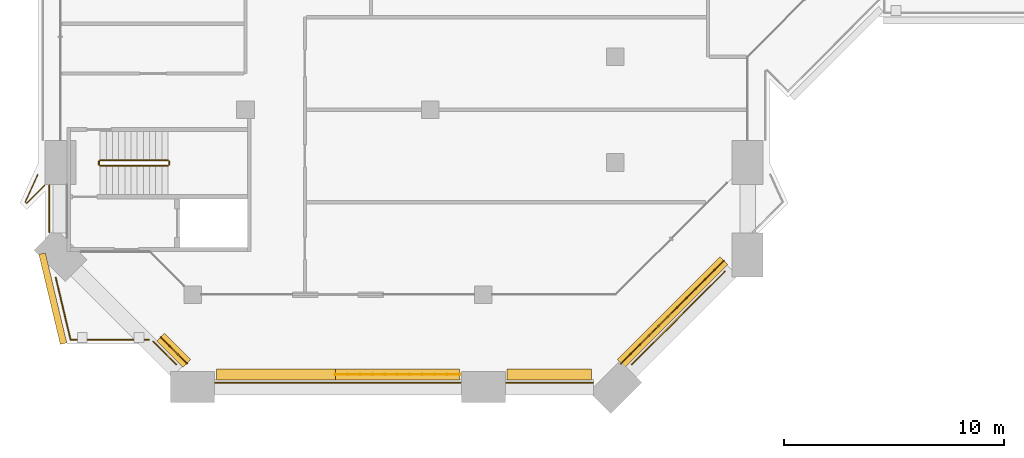
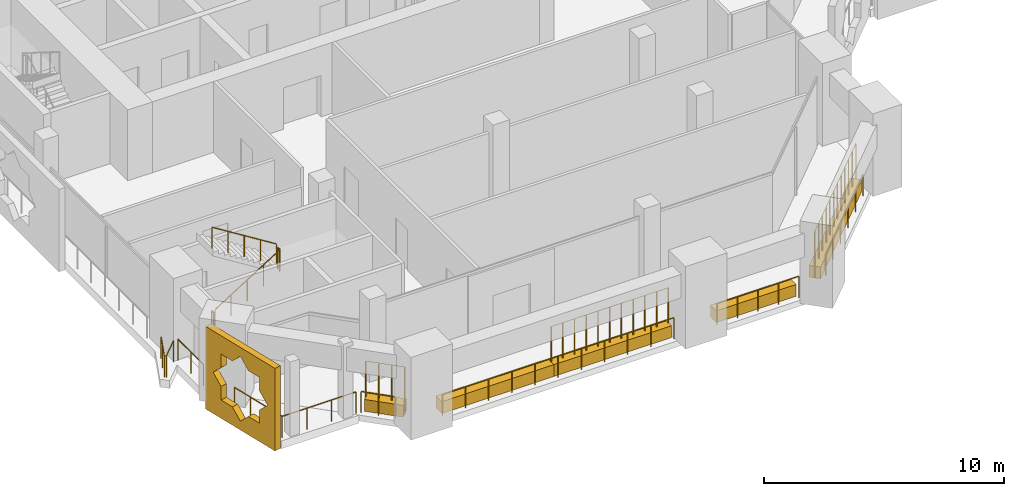
# One storey, part 15 of 20: 14 railings, 6 coverings.
"""IFC4 building model written with IfcOpenShell, lengths in metres."""

from ifc_helpers import new_model, si_unit, direction, frame, origin, origin_2d, place, context, subcontext, project, spatial, polyline, rectangle, circle, outline, extrude, material, material_profile, profile_set, type_object, element, save


model = new_model("IFC4")

# Units and contexts
model_context = context("Model", 3, precision=1e-05, world=origin(), true_north=direction((0.0, 1.0)))
body_context = subcontext(model_context, "Body", "Model", "MODEL_VIEW")
ifc_project = project(units=[si_unit("LENGTHUNIT", "METRE"), si_unit("AREAUNIT", "SQUARE_METRE"), si_unit("VOLUMEUNIT", "CUBIC_METRE"), si_unit("PLANEANGLEUNIT", "RADIAN"), si_unit("MASSUNIT", "GRAM", prefix="KILO")], contexts=[model_context])

# Site, building, storey
site_placement = place(None, origin())
site = spatial("IfcSite", under=ifc_project, at=site_placement, CompositionType="ELEMENT")
building_placement = place(site_placement, origin())
building = spatial("IfcBuilding", under=site, at=building_placement, Name="Kawkab Arch Medical Tower", CompositionType="ELEMENT")
storey_placement = place(building_placement, frame((0.0, 0.0, 290.199951171875)))
storey = spatial("IfcBuildingStorey", under=building, at=storey_placement, Name="L67", CompositionType="ELEMENT", Elevation=290.199951171875)

# Railings
ifc_material_1 = material(Name="Bronze anodised aluminium guard", Category="aluminium")
railing_type_1 = type_object("IfcRailingType", Name="Loggia and terrace guard 1100", PredefinedType="GUARDRAIL", material=ifc_material_1)
railing_1_placement = place(storey_placement, frame((4.2119140625, -44.12890625, 0.0)))
element("IfcRailing", 1, at=railing_1_placement, inside=storey, type_object=railing_type_1, Name="Guard L67.TER-01.1.1", PredefinedType="GUARDRAIL", context=body_context, shape_type="SweptSolid", body=[
    extrude(circle(Radius=0.02392578125, at=origin_2d()), frame((0.0, 0.0, 1.076171875), z_axis=(0.707106781187, -0.707106781187, 0.0), x_axis=(0.707106781187, 0.707106781187, 0.0)), (0.0, 0.0, 1.0), 1.47216796875),
    extrude(circle(Radius=0.02099609375, at=origin_2d()), origin(), (0.0, 0.0, 1.0), 1.052001953125),
    extrude(circle(Radius=0.02099609375, at=origin_2d()), frame((0.5205078125, -0.5205078125, 0.0)), (0.0, 0.0, 1.0), 1.052001953125),
    extrude(circle(Radius=0.02099609375, at=origin_2d()), frame((1.041015625, -1.041015625, 0.0)), (0.0, 0.0, 1.0), 1.052001953125),
])
railing_2_placement = place(storey_placement, frame((7.030029296875, -46.0, 0.0)))
element("IfcRailing", 2, at=railing_2_placement, inside=storey, type_object=railing_type_1, Name="Guard L67.TER-01.1.2", PredefinedType="GUARDRAIL", context=body_context, shape_type="SweptSolid", body=[
    extrude(circle(Radius=0.02392578125, at=origin_2d()), frame((0.0, 0.0, 1.076171875), z_axis=(1.0, 0.0, 0.0), x_axis=(0.0, 1.0, 0.0)), (0.0, 0.0, 1.0), 11.139892578125),
    extrude(circle(Radius=0.02099609375, at=origin_2d()), origin(), (0.0, 0.0, 1.0), 1.052001953125),
    extrude(circle(Radius=0.02099609375, at=origin_2d()), frame((1.114013671875, 0.0, 0.0)), (0.0, 0.0, 1.0), 1.052001953125),
    extrude(circle(Radius=0.02099609375, at=origin_2d()), frame((2.22802734375, 0.0, 0.0)), (0.0, 0.0, 1.0), 1.052001953125),
    extrude(circle(Radius=0.02099609375, at=origin_2d()), frame((3.342041015625, 0.0, 0.0)), (0.0, 0.0, 1.0), 1.052001953125),
    extrude(circle(Radius=0.02099609375, at=origin_2d()), frame((4.4560546875, 0.0, 0.0)), (0.0, 0.0, 1.0), 1.052001953125),
    extrude(circle(Radius=0.02099609375, at=origin_2d()), frame((5.56982421875, 0.0, 0.0)), (0.0, 0.0, 1.0), 1.052001953125),
    extrude(circle(Radius=0.02099609375, at=origin_2d()), frame((6.683837890625, 0.0, 0.0)), (0.0, 0.0, 1.0), 1.052001953125),
    extrude(circle(Radius=0.02099609375, at=origin_2d()), frame((7.7978515625, 0.0, 0.0)), (0.0, 0.0, 1.0), 1.052001953125),
    extrude(circle(Radius=0.02099609375, at=origin_2d()), frame((8.911865234375, 0.0, 0.0)), (0.0, 0.0, 1.0), 1.052001953125),
    extrude(circle(Radius=0.02099609375, at=origin_2d()), frame((10.02587890625, 0.0, 0.0)), (0.0, 0.0, 1.0), 1.052001953125),
    extrude(circle(Radius=0.02099609375, at=origin_2d()), frame((11.139892578125, 0.0, 0.0)), (0.0, 0.0, 1.0), 1.052001953125),
])
railing_3_placement = place(storey_placement, frame((20.22998046875, -46.0, 0.0)))
element("IfcRailing", 3, at=railing_3_placement, inside=storey, type_object=railing_type_1, Name="Guard L67.TER-01.1.3", PredefinedType="GUARDRAIL", context=body_context, shape_type="SweptSolid", body=[
    extrude(circle(Radius=0.02392578125, at=origin_2d()), frame((0.0, 0.0, 1.076171875), z_axis=(1.0, 0.0, 0.0), x_axis=(0.0, 1.0, 0.0)), (0.0, 0.0, 1.0), 3.93994140625),
    extrude(circle(Radius=0.02099609375, at=origin_2d()), origin(), (0.0, 0.0, 1.0), 1.052001953125),
    extrude(circle(Radius=0.02099609375, at=origin_2d()), frame((0.98486328125, 0.0, 0.0)), (0.0, 0.0, 1.0), 1.052001953125),
    extrude(circle(Radius=0.02099609375, at=origin_2d()), frame((1.969970703125, 0.0, 0.0)), (0.0, 0.0, 1.0), 1.052001953125),
    extrude(circle(Radius=0.02099609375, at=origin_2d()), frame((2.955078125, 0.0, 0.0)), (0.0, 0.0, 1.0), 1.052001953125),
    extrude(circle(Radius=0.02099609375, at=origin_2d()), frame((3.93994140625, 0.0, 0.0)), (0.0, 0.0, 1.0), 1.052001953125),
])
railing_4_placement = place(storey_placement, frame((25.947021484375, -45.169921875, 0.0)))
element("IfcRailing", 4, at=railing_4_placement, inside=storey, type_object=railing_type_1, Name="Guard L67.TER-01.1.4", PredefinedType="GUARDRAIL", context=body_context, shape_type="SweptSolid", body=[
    extrude(circle(Radius=0.02392578125, at=origin_2d()), frame((0.0, 0.0, 1.076171875), z_axis=(0.707106781187, 0.707106781187, 0.0), x_axis=(-0.707106781187, 0.707106781187, 0.0)), (0.0, 0.0, 1.0), 5.97216796875),
    extrude(circle(Radius=0.02099609375, at=origin_2d()), origin(), (0.0, 0.0, 1.0), 1.052001953125),
    extrude(circle(Radius=0.02099609375, at=origin_2d()), frame((0.844482421875, 0.844482421875, 0.0)), (0.0, 0.0, 1.0), 1.052001953125),
    extrude(circle(Radius=0.02099609375, at=origin_2d()), frame((1.689208984375, 1.689208984375, 0.0)), (0.0, 0.0, 1.0), 1.052001953125),
    extrude(circle(Radius=0.02099609375, at=origin_2d()), frame((2.53369140625, 2.53369140625, 0.0)), (0.0, 0.0, 1.0), 1.052001953125),
    extrude(circle(Radius=0.02099609375, at=origin_2d()), frame((3.37841796875, 3.37841796875, 0.0)), (0.0, 0.0, 1.0), 1.052001953125),
    extrude(circle(Radius=0.02099609375, at=origin_2d()), frame((4.222900390625, 4.222900390625, 0.0)), (0.0, 0.0, 1.0), 1.052001953125),
])
railing_5_placement = place(storey_placement, frame((4.008056640625, -44.050048828125, 0.0)))
element("IfcRailing", 5, at=railing_5_placement, inside=storey, type_object=railing_type_1, Name="Guard L67.LOG-01.1.1", PredefinedType="GUARDRAIL", context=body_context, shape_type="SweptSolid", body=[
    extrude(circle(Radius=0.02392578125, at=origin_2d()), frame((0.0, 0.0, 1.076171875), z_axis=(-1.0, 0.0, 0.0), x_axis=(0.0, -1.0, 0.0)), (0.0, 0.0, 1.0), 3.550048828125),
    extrude(circle(Radius=0.02392578125, at=origin_2d()), frame((-3.550048828125, 0.0, 1.076171875), z_axis=(-0.231442138983, 0.972848670813, 0.0), x_axis=(-0.972848670813, -0.231442138983, 0.0)), (0.0, 0.0, 1.0), 2.898681640625),
    extrude(circle(Radius=0.02099609375, at=origin_2d()), origin(), (0.0, 0.0, 1.0), 1.052001953125),
    extrude(circle(Radius=0.02099609375, at=origin_2d()), frame((-1.183349609375, 0.0, 0.0)), (0.0, 0.0, 1.0), 1.052001953125),
    extrude(circle(Radius=0.02099609375, at=origin_2d()), frame((-2.36669921875, 0.0, 0.0)), (0.0, 0.0, 1.0), 1.052001953125),
    extrude(circle(Radius=0.02099609375, at=origin_2d()), frame((-3.550048828125, 0.0, 0.0)), (0.0, 0.0, 1.0), 1.052001953125),
    extrude(circle(Radius=0.02099609375, at=origin_2d()), frame((-3.773681640625, 0.93994140625, 0.0)), (0.0, 0.0, 1.0), 1.052001953125),
    extrude(circle(Radius=0.02099609375, at=origin_2d()), frame((-3.997314453125, 1.880126953125, 0.0)), (0.0, 0.0, 1.0), 1.052001953125),
    extrude(circle(Radius=0.02099609375, at=origin_2d()), frame((-4.220947265625, 2.820068359375, 0.0)), (0.0, 0.0, 1.0), 1.052001953125),
])
railing_6_placement = place(storey_placement, frame((-0.5, -39.169921875, 0.0)))
element("IfcRailing", 6, at=railing_6_placement, inside=storey, type_object=railing_type_1, Name="Guard L67.LOG-01.1.2", PredefinedType="GUARDRAIL", context=body_context, shape_type="SweptSolid", body=[
    extrude(circle(Radius=0.02392578125, at=origin_2d()), frame((0.0, 0.0, 1.076171875), z_axis=(0.0, 1.0, 0.0), x_axis=(-1.0, 0.0, 0.0)), (0.0, 0.0, 1.0), 2.139892578125),
    extrude(circle(Radius=0.02099609375, at=origin_2d()), origin(), (0.0, 0.0, 1.0), 1.052001953125),
    extrude(circle(Radius=0.02099609375, at=origin_2d()), frame((0.0, 1.06982421875, 0.0)), (0.0, 0.0, 1.0), 1.052001953125),
    extrude(circle(Radius=0.02099609375, at=origin_2d()), frame((0.0, 2.139892578125, 0.0)), (0.0, 0.0, 1.0), 1.052001953125),
])
railing_7_placement = place(storey_placement, frame((-0.712890625, -37.030029296875, 0.0)))
element("IfcRailing", 7, at=railing_7_placement, inside=storey, type_object=railing_type_1, Name="Guard L67.LOG-01.1.3", PredefinedType="GUARDRAIL", context=body_context, shape_type="SweptSolid", body=[
    extrude(circle(Radius=0.02392578125, at=origin_2d()), frame((0.0, 0.0, 1.076171875), z_axis=(-0.707211390517, -0.707002156378, 0.0), x_axis=(0.707002156378, -0.707211390517, 0.0)), (0.0, 0.0, 1.0), 1.166748046875),
    extrude(circle(Radius=0.02392578125, at=origin_2d()), frame((-0.8251953125, -0.824951171875, 1.076171875), z_axis=(-0.705665181634, 0.708545447681, 0.0), x_axis=(-0.708545447681, -0.705665181634, 0.0)), (0.0, 0.0, 1.0), 0.084716796875),
    extrude(circle(Radius=0.02392578125, at=origin_2d()), frame((-0.885009765625, -0.764892578125, 1.076171875), z_axis=(0.414487545312, 0.910054984483, 0.0), x_axis=(-0.910054984483, 0.414487545312, 0.0)), (0.0, 0.0, 1.0), 1.3701171875),
    extrude(circle(Radius=0.02099609375, at=origin_2d()), origin(), (0.0, 0.0, 1.0), 1.052001953125),
    extrude(circle(Radius=0.02099609375, at=origin_2d()), frame((-0.8251953125, -0.824951171875, 0.0)), (0.0, 0.0, 1.0), 1.052001953125),
    extrude(circle(Radius=0.02099609375, at=origin_2d()), frame((-0.885009765625, -0.764892578125, 0.0)), (0.0, 0.0, 1.0), 1.052001953125),
    extrude(circle(Radius=0.02099609375, at=origin_2d()), frame((-0.60107421875, -0.1416015625, 0.0)), (0.0, 0.0, 1.0), 1.052001953125),
    extrude(circle(Radius=0.02099609375, at=origin_2d()), frame((-0.317138671875, 0.48193359375, 0.0)), (0.0, 0.0, 1.0), 1.052001953125),
])

# Coverings
ifc_material_2 = material(Name="Bronze anodised aluminium mashrabiya panel, eight-point star pattern", Category="aluminium")
ifc_material_profile_1 = material_profile(ifc_material_2, outline(polyline([(-2.10009765625, -2.10009765625), (2.10009765625, -2.10009765625), (2.10009765625, 2.10009765625), (-2.10009765625, 2.10009765625), (-2.10009765625, -2.10009765625)]), holes=[polyline([(1.64990234375, 0.0), (1.166748046875, 0.4833984375), (1.166748046875, 1.166748046875), (0.4833984375, 1.166748046875), (0.0, 1.64990234375), (-0.4833984375, 1.166748046875), (-1.166748046875, 1.166748046875), (-1.166748046875, 0.4833984375), (-1.64990234375, 0.0), (-1.166748046875, -0.4833984375), (-1.166748046875, -1.166748046875), (-0.4833984375, -1.166748046875), (0.0, -1.64990234375), (0.4833984375, -1.166748046875), (1.166748046875, -1.166748046875), (1.166748046875, -0.4833984375), (1.64990234375, 0.0)])]), Name="Mashrabiya panel 4200x4200")
ifc_profile_set_1 = profile_set([ifc_material_profile_1], Name="Bronze anodised aluminium mashrabiya panel, eight-point star pattern")
covering_type_1 = type_object("IfcCoveringType", Name="Mashrabiya panel 4200 x 4200", PredefinedType="USERDEFINED", material=ifc_profile_set_1)
covering_1_placement = place(storey_placement, frame((-0.20068359375, -42.146728515625, 1.699951171875), z_axis=(-0.972762562947, -0.231803787993, 0.0), x_axis=(0.231803787993, -0.972762562947, 0.0)))
element("IfcCovering", 8, at=covering_1_placement, inside=storey, type_object=covering_type_1, Name="Mashrabiya panel L67.LOG-01-01.1", ObjectType="SCREEN", PredefinedType="USERDEFINED", context=body_context, shape_type="SweptSolid", body=[
    extrude(outline(polyline([(-2.10009765625, -2.10009765625), (2.10009765625, -2.10009765625), (2.10009765625, 2.10009765625), (-2.10009765625, 2.10009765625), (-2.10009765625, -2.10009765625)]), holes=[polyline([(1.64990234375, 0.0), (1.166748046875, 0.4833984375), (1.166748046875, 1.166748046875), (0.4833984375, 1.166748046875), (0.0, 1.64990234375), (-0.4833984375, 1.166748046875), (-1.166748046875, 1.166748046875), (-1.166748046875, 0.4833984375), (-1.64990234375, 0.0), (-1.166748046875, -0.4833984375), (-1.166748046875, -1.166748046875), (-0.4833984375, -1.166748046875), (0.0, -1.64990234375), (0.4833984375, -1.166748046875), (1.166748046875, -1.166748046875), (1.166748046875, -0.4833984375), (1.64990234375, 0.0)])]), origin(), (0.0, 0.0, 1.0), 0.300048828125),
])
ifc_material_3 = material(Name="Planting soil in a precast trough", Category="concrete")
ifc_material_profile_2 = material_profile(ifc_material_3, rectangle(XDim=0.5, YDim=0.60009765625, at=origin_2d()), Name="Trough 500x600")
ifc_profile_set_2 = profile_set([ifc_material_profile_2], Name="Planting soil in a precast trough")
covering_type_2 = type_object("IfcCoveringType", Name="Planter trough 500 x 600", PredefinedType="USERDEFINED", material=ifc_profile_set_2)
covering_2_placement = place(storey_placement, frame((4.552001953125, -43.930908203125, 0.300048828125), z_axis=(0.706743585007, -0.707469790911, 0.0), x_axis=(0.707469790911, 0.706743585007, 0.0)))
element("IfcCovering", 9, at=covering_2_placement, inside=storey, type_object=covering_type_2, Name="Planter L67.TER-01-01.1", ObjectType="PLANTER", PredefinedType="USERDEFINED", context=body_context, shape_type="SweptSolid", body=[
    extrude(rectangle(XDim=0.5, YDim=0.60009765625, at=origin_2d()), origin(), (0.0, 0.0, 1.0), 1.680908203125),
])
covering_3_placement = place(storey_placement, frame((7.080078125, -45.6201171875, 0.300048828125), z_axis=(1.0, 0.0, 0.0), x_axis=(0.0, 1.0, 0.0)))
element("IfcCovering", 10, at=covering_3_placement, inside=storey, type_object=covering_type_2, Name="Planter L67.TER-01-01.2", ObjectType="PLANTER", PredefinedType="USERDEFINED", context=body_context, shape_type="SweptSolid", body=[
    extrude(rectangle(XDim=0.5, YDim=0.60009765625, at=origin_2d()), origin(), (0.0, 0.0, 1.0), 5.39892578125),
])
covering_4_placement = place(storey_placement, frame((12.47900390625, -45.6201171875, 0.300048828125), z_axis=(1.0, 0.0, 0.0), x_axis=(0.0, 1.0, 0.0)))
element("IfcCovering", 11, at=covering_4_placement, inside=storey, type_object=covering_type_2, Name="Planter L67.TER-01-01.3", ObjectType="PLANTER", PredefinedType="USERDEFINED", context=body_context, shape_type="SweptSolid", body=[
    extrude(rectangle(XDim=0.5, YDim=0.60009765625, at=origin_2d()), origin(), (0.0, 0.0, 1.0), 5.64111328125),
])
covering_5_placement = place(storey_placement, frame((20.280029296875, -45.6201171875, 0.300048828125), z_axis=(1.0, 0.0, 0.0), x_axis=(0.0, 1.0, 0.0)))
element("IfcCovering", 12, at=covering_5_placement, inside=storey, type_object=covering_type_2, Name="Planter L67.TER-01-01.4", ObjectType="PLANTER", PredefinedType="USERDEFINED", context=body_context, shape_type="SweptSolid", body=[
    extrude(rectangle(XDim=0.5, YDim=0.60009765625, at=origin_2d()), origin(), (0.0, 0.0, 1.0), 3.840087890625),
])
covering_6_placement = place(storey_placement, frame((25.4560546875, -45.1201171875, 0.300048828125), z_axis=(0.707328897326, 0.706884595254, 0.0), x_axis=(-0.706884595254, 0.707328897326, 0.0)))
element("IfcCovering", 13, at=covering_6_placement, inside=storey, type_object=covering_type_2, Name="Planter L67.TER-01-01.5", ObjectType="PLANTER", PredefinedType="USERDEFINED", context=body_context, shape_type="SweptSolid", body=[
    extrude(rectangle(XDim=0.5, YDim=0.60009765625, at=origin_2d()), origin(), (0.0, 0.0, 1.0), 6.593994140625),
])

# Railings
ifc_material_4 = material(Name="Bronze anodised aluminium trellis for climbing plants", Category="aluminium")
railing_type_2 = type_object("IfcRailingType", Name="Planting trellis 2400", PredefinedType="USERDEFINED", material=ifc_material_4)
railing_8_placement = place(storey_placement, frame((4.552001953125, -43.930908203125, 0.0)))
element("IfcRailing", 14, at=railing_8_placement, inside=storey, type_object=railing_type_2, Name="Planting trellis L67.TER-01-01.1", ObjectType="TRELLIS", PredefinedType="USERDEFINED", context=body_context, shape_type="SweptSolid", body=[
    extrude(circle(Radius=0.01513671875, at=origin_2d()), frame((0.0, 0.0, 2.384765625), z_axis=(0.706743585007, -0.707469790911, 0.0), x_axis=(0.707469790911, 0.706743585007, 0.0)), (0.0, 0.0, 1.0), 1.680908203125),
    extrude(circle(Radius=0.030029296875, at=origin_2d()), origin(), (0.0, 0.0, 1.0), 2.369873046875),
    extrude(circle(Radius=0.030029296875, at=origin_2d()), frame((0.39599609375, -0.396484375, 0.0)), (0.0, 0.0, 1.0), 2.369873046875),
    extrude(circle(Radius=0.030029296875, at=origin_2d()), frame((0.7919921875, -0.792724609375, 0.0)), (0.0, 0.0, 1.0), 2.369873046875),
    extrude(circle(Radius=0.030029296875, at=origin_2d()), frame((1.18798828125, -1.189208984375, 0.0)), (0.0, 0.0, 1.0), 2.369873046875),
])
railing_9_placement = place(storey_placement, frame((12.47900390625, -45.6201171875, 0.0)))
element("IfcRailing", 15, at=railing_9_placement, inside=storey, type_object=railing_type_2, Name="Planting trellis L67.TER-01-01.3", ObjectType="TRELLIS", PredefinedType="USERDEFINED", context=body_context, shape_type="SweptSolid", body=[
    extrude(circle(Radius=0.01513671875, at=origin_2d()), frame((0.0, 0.0, 2.384765625), z_axis=(1.0, 0.0, 0.0), x_axis=(0.0, 1.0, 0.0)), (0.0, 0.0, 1.0), 5.64111328125),
    extrude(circle(Radius=0.030029296875, at=origin_2d()), origin(), (0.0, 0.0, 1.0), 2.369873046875),
    extrude(circle(Radius=0.030029296875, at=origin_2d()), frame((0.564208984375, 0.0, 0.0)), (0.0, 0.0, 1.0), 2.369873046875),
    extrude(circle(Radius=0.030029296875, at=origin_2d()), frame((1.128173828125, 0.0, 0.0)), (0.0, 0.0, 1.0), 2.369873046875),
    extrude(circle(Radius=0.030029296875, at=origin_2d()), frame((1.6923828125, 0.0, 0.0)), (0.0, 0.0, 1.0), 2.369873046875),
    extrude(circle(Radius=0.030029296875, at=origin_2d()), frame((2.25634765625, 0.0, 0.0)), (0.0, 0.0, 1.0), 2.369873046875),
    extrude(circle(Radius=0.030029296875, at=origin_2d()), frame((2.820556640625, 0.0, 0.0)), (0.0, 0.0, 1.0), 2.369873046875),
    extrude(circle(Radius=0.030029296875, at=origin_2d()), frame((3.384765625, 0.0, 0.0)), (0.0, 0.0, 1.0), 2.369873046875),
    extrude(circle(Radius=0.030029296875, at=origin_2d()), frame((3.94873046875, 0.0, 0.0)), (0.0, 0.0, 1.0), 2.369873046875),
    extrude(circle(Radius=0.030029296875, at=origin_2d()), frame((4.512939453125, 0.0, 0.0)), (0.0, 0.0, 1.0), 2.369873046875),
    extrude(circle(Radius=0.030029296875, at=origin_2d()), frame((5.076904296875, 0.0, 0.0)), (0.0, 0.0, 1.0), 2.369873046875),
    extrude(circle(Radius=0.030029296875, at=origin_2d()), frame((5.64111328125, 0.0, 0.0)), (0.0, 0.0, 1.0), 2.369873046875),
])
railing_10_placement = place(storey_placement, frame((25.4560546875, -45.1201171875, 0.0)))
element("IfcRailing", 16, at=railing_10_placement, inside=storey, type_object=railing_type_2, Name="Planting trellis L67.TER-01-01.5", ObjectType="TRELLIS", PredefinedType="USERDEFINED", context=body_context, shape_type="SweptSolid", body=[
    extrude(circle(Radius=0.01513671875, at=origin_2d()), frame((0.0, 0.0, 2.384765625), z_axis=(0.707328897326, 0.706884595254, 0.0), x_axis=(-0.706884595254, 0.707328897326, 0.0)), (0.0, 0.0, 1.0), 6.593994140625),
    extrude(circle(Radius=0.030029296875, at=origin_2d()), origin(), (0.0, 0.0, 1.0), 2.369873046875),
    extrude(circle(Radius=0.030029296875, at=origin_2d()), frame((0.424072265625, 0.423828125, 0.0)), (0.0, 0.0, 1.0), 2.369873046875),
    extrude(circle(Radius=0.030029296875, at=origin_2d()), frame((0.847900390625, 0.847412109375, 0.0)), (0.0, 0.0, 1.0), 2.369873046875),
    extrude(circle(Radius=0.030029296875, at=origin_2d()), frame((1.27197265625, 1.271240234375, 0.0)), (0.0, 0.0, 1.0), 2.369873046875),
    extrude(circle(Radius=0.030029296875, at=origin_2d()), frame((1.696044921875, 1.695068359375, 0.0)), (0.0, 0.0, 1.0), 2.369873046875),
    extrude(circle(Radius=0.030029296875, at=origin_2d()), frame((2.1201171875, 2.11865234375, 0.0)), (0.0, 0.0, 1.0), 2.369873046875),
    extrude(circle(Radius=0.030029296875, at=origin_2d()), frame((2.5439453125, 2.54248046875, 0.0)), (0.0, 0.0, 1.0), 2.369873046875),
    extrude(circle(Radius=0.030029296875, at=origin_2d()), frame((2.968017578125, 2.966064453125, 0.0)), (0.0, 0.0, 1.0), 2.369873046875),
    extrude(circle(Radius=0.030029296875, at=origin_2d()), frame((3.39208984375, 3.389892578125, 0.0)), (0.0, 0.0, 1.0), 2.369873046875),
    extrude(circle(Radius=0.030029296875, at=origin_2d()), frame((3.816162109375, 3.813720703125, 0.0)), (0.0, 0.0, 1.0), 2.369873046875),
    extrude(circle(Radius=0.030029296875, at=origin_2d()), frame((4.239990234375, 4.2373046875, 0.0)), (0.0, 0.0, 1.0), 2.369873046875),
    extrude(circle(Radius=0.030029296875, at=origin_2d()), frame((4.6640625, 4.6611328125, 0.0)), (0.0, 0.0, 1.0), 2.369873046875),
])
ifc_material_5 = material(Name="Stainless steel", Category="steel")
railing_type_3 = type_object("IfcRailingType", Name="Stair guard 1100", PredefinedType="GUARDRAIL", material=ifc_material_5)
railing_11_placement = place(storey_placement, frame((1.800048828125, -36.14990234375, 0.175048828125)))
element("IfcRailing", 17, at=railing_11_placement, inside=storey, type_object=railing_type_3, Name="L67 ST6 stair guard 1", PredefinedType="GUARDRAIL", context=body_context, shape_type="SweptSolid", body=[
    extrude(circle(Radius=0.02392578125, at=origin_2d()), frame((0.0, 0.0, 1.076171875), z_axis=(0.847979421464, 0.0, 0.530029150871), x_axis=(0.0, 1.0, 0.0)), (0.0, 0.0, 1.0), 3.632080078125),
    extrude(circle(Radius=0.02099609375, at=origin_2d()), origin(), (0.0, 0.0, 1.0), 1.052001953125),
    extrude(circle(Radius=0.02099609375, at=origin_2d()), frame((0.77001953125, 0.0, 0.481201171875)), (0.0, 0.0, 1.0), 1.052001953125),
    extrude(circle(Radius=0.02099609375, at=origin_2d()), frame((1.5400390625, 0.0, 0.96240234375)), (0.0, 0.0, 1.0), 1.052001953125),
    extrude(circle(Radius=0.02099609375, at=origin_2d()), frame((2.309814453125, 0.0, 1.44384765625)), (0.0, 0.0, 1.0), 1.052001953125),
    extrude(circle(Radius=0.02099609375, at=origin_2d()), frame((3.079833984375, 0.0, 1.925048828125)), (0.0, 0.0, 1.0), 1.052001953125),
])
railing_12_placement = place(storey_placement, frame((4.929931640625, -36.10009765625, 2.10009765625)))
element("IfcRailing", 18, at=railing_12_placement, inside=storey, type_object=railing_type_3, Name="L67 ST6 stair guard 2", PredefinedType="GUARDRAIL", context=body_context, shape_type="SweptSolid", body=[
    extrude(circle(Radius=0.02392578125, at=origin_2d()), frame((0.0, 0.0, 1.076171875), z_axis=(0.0, 1.0, 0.0), x_axis=(-1.0, 0.0, 0.0)), (0.0, 0.0, 1.0), 0.150146484375),
    extrude(circle(Radius=0.02099609375, at=origin_2d()), origin(), (0.0, 0.0, 1.0), 1.052001953125),
    extrude(circle(Radius=0.02099609375, at=origin_2d()), frame((0.0, 0.150146484375, 0.0)), (0.0, 0.0, 1.0), 1.052001953125),
])
railing_13_placement = place(storey_placement, frame((4.8798828125, -35.89990234375, 2.275146484375)))
element("IfcRailing", 19, at=railing_13_placement, inside=storey, type_object=railing_type_3, Name="L67 ST6 stair guard 3", PredefinedType="GUARDRAIL", context=body_context, shape_type="SweptSolid", body=[
    extrude(circle(Radius=0.02392578125, at=origin_2d()), frame((0.0, 0.0, 1.076171875), z_axis=(-0.848009633417, 0.0, 0.529980812513), x_axis=(0.0, -1.0, 0.0)), (0.0, 0.0, 1.0), 3.6318359375),
    extrude(circle(Radius=0.02099609375, at=origin_2d()), origin(), (0.0, 0.0, 1.0), 1.052001953125),
    extrude(circle(Radius=0.02099609375, at=origin_2d()), frame((-0.77001953125, 0.0, 0.481201171875)), (0.0, 0.0, 1.0), 1.052001953125),
    extrude(circle(Radius=0.02099609375, at=origin_2d()), frame((-1.5400390625, 0.0, 0.96240234375)), (0.0, 0.0, 1.0), 1.052001953125),
    extrude(circle(Radius=0.02099609375, at=origin_2d()), frame((-2.309814453125, 0.0, 1.443603515625)), (0.0, 0.0, 1.0), 1.052001953125),
    extrude(circle(Radius=0.02099609375, at=origin_2d()), frame((-3.079833984375, 0.0, 1.9248046875)), (0.0, 0.0, 1.0), 1.052001953125),
])
railing_14_placement = place(storey_placement, frame((1.75, -36.10009765625, 0.0)))
element("IfcRailing", 20, at=railing_14_placement, inside=storey, type_object=railing_type_3, Name="L67 ST6 stair guard 4", PredefinedType="GUARDRAIL", context=body_context, shape_type="SweptSolid", body=[
    extrude(circle(Radius=0.02392578125, at=origin_2d()), frame((0.0, 0.0, 1.076171875), z_axis=(0.0, 1.0, 0.0), x_axis=(-1.0, 0.0, 0.0)), (0.0, 0.0, 1.0), 0.150146484375),
    extrude(circle(Radius=0.02099609375, at=origin_2d()), origin(), (0.0, 0.0, 1.0), 1.052001953125),
    extrude(circle(Radius=0.02099609375, at=origin_2d()), frame((0.0, 0.150146484375, 0.0)), (0.0, 0.0, 1.0), 1.052001953125),
])

save(model, "model.ifc")
